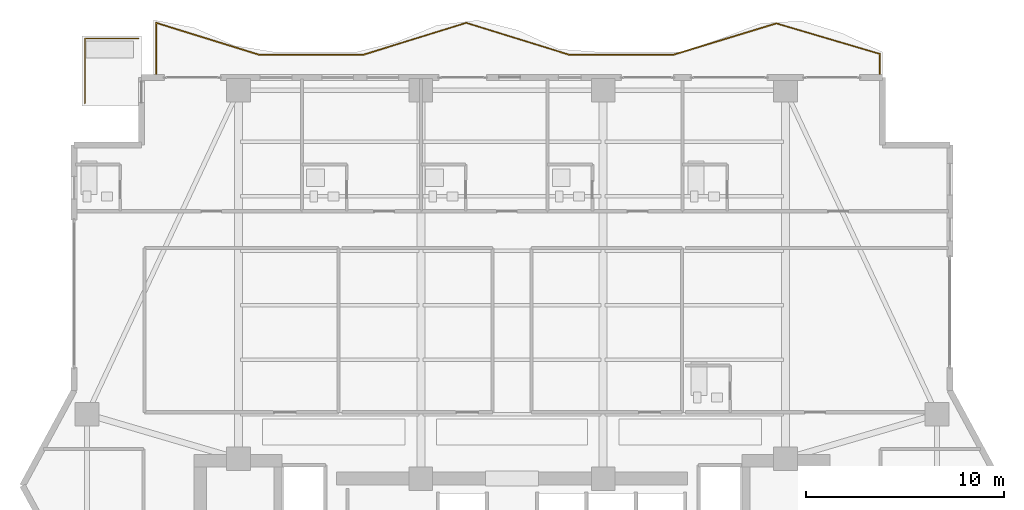
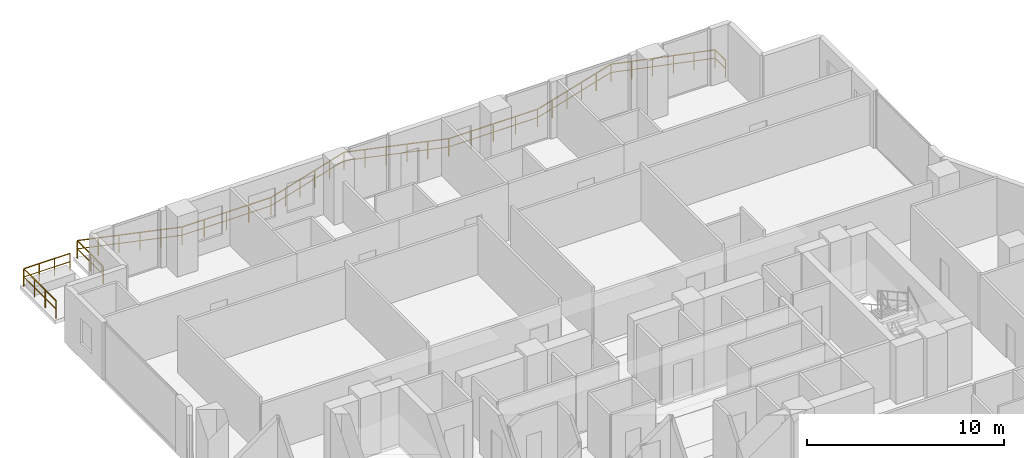
# One storey, part 31 of 32: 2 railings.
"""IFC4 building model written with IfcOpenShell, lengths in metres."""

from ifc_helpers import new_model, si_unit, direction, frame, origin, origin_2d, place, context, subcontext, project, spatial, rectangle, extrude, material, type_object, element, save


model = new_model("IFC4")

# Units and contexts
model_context = context("Model", 3, precision=1e-05, world=origin(), true_north=direction((0.0, 1.0)))
body_context = subcontext(model_context, "Body", "Model", "MODEL_VIEW")
ifc_project = project(units=[si_unit("LENGTHUNIT", "METRE"), si_unit("AREAUNIT", "SQUARE_METRE"), si_unit("VOLUMEUNIT", "CUBIC_METRE"), si_unit("PLANEANGLEUNIT", "RADIAN"), si_unit("MASSUNIT", "GRAM", prefix="KILO")], contexts=[model_context])

# Site, building, storey
site_placement = place(None, origin())
site = spatial("IfcSite", under=ifc_project, at=site_placement, CompositionType="ELEMENT")
building_placement = place(site_placement, origin())
building = spatial("IfcBuilding", under=site, at=building_placement, Name="Zuhayl Quay Hotel", CompositionType="ELEMENT")
storey_placement = place(building_placement, frame((0.0, 0.0, 181.14990234375)))
storey = spatial("IfcBuildingStorey", under=building, at=storey_placement, Name="L45", CompositionType="ELEMENT", Elevation=181.14990234375)

# Railings
ifc_material = material(Name="Anodised Aluminium and Laminated Glass", Category="aluminium")
railing_type = type_object("IfcRailingType", Name="RL_EXT_BAL_1100", PredefinedType="BALUSTRADE", material=ifc_material)
railing_1_placement = place(storey_placement, frame((-17.9599609375, 33.719970703125, 0.0)))
element("IfcRailing", 1, at=railing_1_placement, inside=storey, type_object=railing_type, Name="L45 Balcony and Terrace Guard GR_L45_BAL_N", PredefinedType="BALUSTRADE", context=body_context, shape_type="SweptSolid", body=[
    extrude(rectangle(XDim=0.048095703125, YDim=0.048095703125, at=origin_2d()), frame((0.0, 0.0, 1.09619140625), z_axis=(0.0, 1.0, 0.0), x_axis=(-1.0, 0.0, 0.0)), (0.0, 0.0, 1.0), 2.63818359375),
    extrude(rectangle(XDim=0.0361328125, YDim=0.0361328125, at=origin_2d()), frame((0.0, 0.0, 0.58251953125), z_axis=(0.0, 1.0, 0.0), x_axis=(-1.0, 0.0, 0.0)), (0.0, 0.0, 1.0), 2.63818359375),
    extrude(rectangle(XDim=0.048095703125, YDim=0.048095703125, at=origin_2d()), frame((0.0, 2.63818359375, 1.09619140625), z_axis=(0.955111680816, -0.296245974096, 0.0), x_axis=(0.296245974096, 0.955111680816, 0.0)), (0.0, 0.0, 1.0), 5.462158203125),
    extrude(rectangle(XDim=0.0361328125, YDim=0.0361328125, at=origin_2d()), frame((0.0, 2.63818359375, 0.58251953125), z_axis=(0.955111680816, -0.296245974096, 0.0), x_axis=(0.296245974096, 0.955111680816, 0.0)), (0.0, 0.0, 1.0), 5.462158203125),
    extrude(rectangle(XDim=0.048095703125, YDim=0.048095703125, at=origin_2d()), frame((5.217041015625, 1.02001953125, 1.09619140625), z_axis=(1.0, 0.0, 0.0), x_axis=(0.0, 1.0, 0.0)), (0.0, 0.0, 1.0), 5.21728515625),
    extrude(rectangle(XDim=0.0361328125, YDim=0.0361328125, at=origin_2d()), frame((5.217041015625, 1.02001953125, 0.58251953125), z_axis=(1.0, 0.0, 0.0), x_axis=(0.0, 1.0, 0.0)), (0.0, 0.0, 1.0), 5.21728515625),
    extrude(rectangle(XDim=0.048095703125, YDim=0.048095703125, at=origin_2d()), frame((10.434326171875, 1.02001953125, 1.09619140625), z_axis=(0.955238077311, 0.295838157876, 0.0), x_axis=(-0.295838157876, 0.955238077311, 0.0)), (0.0, 0.0, 1.0), 5.46142578125),
    extrude(rectangle(XDim=0.0361328125, YDim=0.0361328125, at=origin_2d()), frame((10.434326171875, 1.02001953125, 0.58251953125), z_axis=(0.955238077311, 0.295838157876, 0.0), x_axis=(-0.295838157876, 0.955238077311, 0.0)), (0.0, 0.0, 1.0), 5.46142578125),
    extrude(rectangle(XDim=0.048095703125, YDim=0.048095703125, at=origin_2d()), frame((15.6513671875, 2.6357421875, 1.09619140625), z_axis=(0.955241989393, -0.295825525775, 0.0), x_axis=(0.295825525775, 0.955241989393, 0.0)), (0.0, 0.0, 1.0), 5.461669921875),
    extrude(rectangle(XDim=0.0361328125, YDim=0.0361328125, at=origin_2d()), frame((15.6513671875, 2.6357421875, 0.58251953125), z_axis=(0.955241989393, -0.295825525775, 0.0), x_axis=(0.295825525775, 0.955241989393, 0.0)), (0.0, 0.0, 1.0), 5.461669921875),
    extrude(rectangle(XDim=0.048095703125, YDim=0.048095703125, at=origin_2d()), frame((20.86865234375, 1.02001953125, 1.09619140625), z_axis=(1.0, 0.0, 0.0), x_axis=(0.0, 1.0, 0.0)), (0.0, 0.0, 1.0), 5.217041015625),
    extrude(rectangle(XDim=0.0361328125, YDim=0.0361328125, at=origin_2d()), frame((20.86865234375, 1.02001953125, 0.58251953125), z_axis=(1.0, 0.0, 0.0), x_axis=(0.0, 1.0, 0.0)), (0.0, 0.0, 1.0), 5.217041015625),
    extrude(rectangle(XDim=0.048095703125, YDim=0.048095703125, at=origin_2d()), frame((26.085693359375, 1.02001953125, 1.09619140625), z_axis=(0.956560509434, 0.291533860456, 0.0), x_axis=(-0.291533860456, 0.956560509434, 0.0)), (0.0, 0.0, 1.0), 5.4541015625),
    extrude(rectangle(XDim=0.0361328125, YDim=0.0361328125, at=origin_2d()), frame((26.085693359375, 1.02001953125, 0.58251953125), z_axis=(0.956560509434, 0.291533860456, 0.0), x_axis=(-0.291533860456, 0.956560509434, 0.0)), (0.0, 0.0, 1.0), 5.4541015625),
    extrude(rectangle(XDim=0.048095703125, YDim=0.048095703125, at=origin_2d()), frame((31.302978515625, 2.610107421875, 1.09619140625), z_axis=(0.959061213156, -0.283198851374, 0.0), x_axis=(0.283198851374, 0.959061213156, 0.0)), (0.0, 0.0, 1.0), 5.439697265625),
    extrude(rectangle(XDim=0.0361328125, YDim=0.0361328125, at=origin_2d()), frame((31.302978515625, 2.610107421875, 0.58251953125), z_axis=(0.959061213156, -0.283198851374, 0.0), x_axis=(0.283198851374, 0.959061213156, 0.0)), (0.0, 0.0, 1.0), 5.439697265625),
    extrude(rectangle(XDim=0.048095703125, YDim=0.048095703125, at=origin_2d()), frame((36.52001953125, 1.069580078125, 1.09619140625), z_axis=(0.0, -1.0, 0.0), x_axis=(1.0, 0.0, 0.0)), (0.0, 0.0, 1.0), 1.069580078125),
    extrude(rectangle(XDim=0.0361328125, YDim=0.0361328125, at=origin_2d()), frame((36.52001953125, 1.069580078125, 0.58251953125), z_axis=(0.0, -1.0, 0.0), x_axis=(1.0, 0.0, 0.0)), (0.0, 0.0, 1.0), 1.069580078125),
    extrude(rectangle(XDim=0.0419921875, YDim=0.0419921875, at=origin_2d()), origin(), (0.0, 0.0, 1.0), 1.072021484375),
    extrude(rectangle(XDim=0.0419921875, YDim=0.0419921875, at=origin_2d()), frame((0.0, 1.319091796875, 0.0)), (0.0, 0.0, 1.0), 1.072021484375),
    extrude(rectangle(XDim=0.0419921875, YDim=0.0419921875, at=origin_2d()), frame((0.0, 2.63818359375, 0.0)), (0.0, 0.0, 1.0), 1.072021484375),
    extrude(rectangle(XDim=0.0419921875, YDim=0.0419921875, at=origin_2d()), frame((1.04345703125, 2.314453125, 0.0)), (0.0, 0.0, 1.0), 1.072021484375),
    extrude(rectangle(XDim=0.0419921875, YDim=0.0419921875, at=origin_2d()), frame((2.0869140625, 1.990966796875, 0.0)), (0.0, 0.0, 1.0), 1.072021484375),
    extrude(rectangle(XDim=0.0419921875, YDim=0.0419921875, at=origin_2d()), frame((3.130126953125, 1.667236328125, 0.0)), (0.0, 0.0, 1.0), 1.072021484375),
    extrude(rectangle(XDim=0.0419921875, YDim=0.0419921875, at=origin_2d()), frame((4.173583984375, 1.34375, 0.0)), (0.0, 0.0, 1.0), 1.072021484375),
    extrude(rectangle(XDim=0.0419921875, YDim=0.0419921875, at=origin_2d()), frame((5.217041015625, 1.02001953125, 0.0)), (0.0, 0.0, 1.0), 1.072021484375),
    extrude(rectangle(XDim=0.0419921875, YDim=0.0419921875, at=origin_2d()), frame((6.521484375, 1.02001953125, 0.0)), (0.0, 0.0, 1.0), 1.072021484375),
    extrude(rectangle(XDim=0.0419921875, YDim=0.0419921875, at=origin_2d()), frame((7.82568359375, 1.02001953125, 0.0)), (0.0, 0.0, 1.0), 1.072021484375),
    extrude(rectangle(XDim=0.0419921875, YDim=0.0419921875, at=origin_2d()), frame((9.1298828125, 1.02001953125, 0.0)), (0.0, 0.0, 1.0), 1.072021484375),
    extrude(rectangle(XDim=0.0419921875, YDim=0.0419921875, at=origin_2d()), frame((10.434326171875, 1.02001953125, 0.0)), (0.0, 0.0, 1.0), 1.072021484375),
    extrude(rectangle(XDim=0.0419921875, YDim=0.0419921875, at=origin_2d()), frame((11.477783203125, 1.34326171875, 0.0)), (0.0, 0.0, 1.0), 1.072021484375),
    extrude(rectangle(XDim=0.0419921875, YDim=0.0419921875, at=origin_2d()), frame((12.521240234375, 1.666259765625, 0.0)), (0.0, 0.0, 1.0), 1.072021484375),
    extrude(rectangle(XDim=0.0419921875, YDim=0.0419921875, at=origin_2d()), frame((13.564453125, 1.989501953125, 0.0)), (0.0, 0.0, 1.0), 1.072021484375),
    extrude(rectangle(XDim=0.0419921875, YDim=0.0419921875, at=origin_2d()), frame((14.60791015625, 2.3125, 0.0)), (0.0, 0.0, 1.0), 1.072021484375),
    extrude(rectangle(XDim=0.0419921875, YDim=0.0419921875, at=origin_2d()), frame((15.6513671875, 2.6357421875, 0.0)), (0.0, 0.0, 1.0), 1.072021484375),
    extrude(rectangle(XDim=0.0419921875, YDim=0.0419921875, at=origin_2d()), frame((16.69482421875, 2.3125, 0.0)), (0.0, 0.0, 1.0), 1.072021484375),
    extrude(rectangle(XDim=0.0419921875, YDim=0.0419921875, at=origin_2d()), frame((17.73828125, 1.989501953125, 0.0)), (0.0, 0.0, 1.0), 1.072021484375),
    extrude(rectangle(XDim=0.0419921875, YDim=0.0419921875, at=origin_2d()), frame((18.78173828125, 1.666259765625, 0.0)), (0.0, 0.0, 1.0), 1.072021484375),
    extrude(rectangle(XDim=0.0419921875, YDim=0.0419921875, at=origin_2d()), frame((19.8251953125, 1.34326171875, 0.0)), (0.0, 0.0, 1.0), 1.072021484375),
    extrude(rectangle(XDim=0.0419921875, YDim=0.0419921875, at=origin_2d()), frame((20.86865234375, 1.02001953125, 0.0)), (0.0, 0.0, 1.0), 1.072021484375),
    extrude(rectangle(XDim=0.0419921875, YDim=0.0419921875, at=origin_2d()), frame((22.1728515625, 1.02001953125, 0.0)), (0.0, 0.0, 1.0), 1.072021484375),
    extrude(rectangle(XDim=0.0419921875, YDim=0.0419921875, at=origin_2d()), frame((23.47705078125, 1.02001953125, 0.0)), (0.0, 0.0, 1.0), 1.072021484375),
    extrude(rectangle(XDim=0.0419921875, YDim=0.0419921875, at=origin_2d()), frame((24.781494140625, 1.02001953125, 0.0)), (0.0, 0.0, 1.0), 1.072021484375),
    extrude(rectangle(XDim=0.0419921875, YDim=0.0419921875, at=origin_2d()), frame((26.085693359375, 1.02001953125, 0.0)), (0.0, 0.0, 1.0), 1.072021484375),
    extrude(rectangle(XDim=0.0419921875, YDim=0.0419921875, at=origin_2d()), frame((27.129150390625, 1.338134765625, 0.0)), (0.0, 0.0, 1.0), 1.072021484375),
    extrude(rectangle(XDim=0.0419921875, YDim=0.0419921875, at=origin_2d()), frame((28.172607421875, 1.656005859375, 0.0)), (0.0, 0.0, 1.0), 1.072021484375),
    extrude(rectangle(XDim=0.0419921875, YDim=0.0419921875, at=origin_2d()), frame((29.216064453125, 1.97412109375, 0.0)), (0.0, 0.0, 1.0), 1.072021484375),
    extrude(rectangle(XDim=0.0419921875, YDim=0.0419921875, at=origin_2d()), frame((30.259521484375, 2.2919921875, 0.0)), (0.0, 0.0, 1.0), 1.072021484375),
    extrude(rectangle(XDim=0.0419921875, YDim=0.0419921875, at=origin_2d()), frame((31.302978515625, 2.610107421875, 0.0)), (0.0, 0.0, 1.0), 1.072021484375),
    extrude(rectangle(XDim=0.0419921875, YDim=0.0419921875, at=origin_2d()), frame((32.346435546875, 2.302001953125, 0.0)), (0.0, 0.0, 1.0), 1.072021484375),
    extrude(rectangle(XDim=0.0419921875, YDim=0.0419921875, at=origin_2d()), frame((33.389892578125, 1.993896484375, 0.0)), (0.0, 0.0, 1.0), 1.072021484375),
    extrude(rectangle(XDim=0.0419921875, YDim=0.0419921875, at=origin_2d()), frame((34.43310546875, 1.685791015625, 0.0)), (0.0, 0.0, 1.0), 1.072021484375),
    extrude(rectangle(XDim=0.0419921875, YDim=0.0419921875, at=origin_2d()), frame((35.4765625, 1.377685546875, 0.0)), (0.0, 0.0, 1.0), 1.072021484375),
    extrude(rectangle(XDim=0.0419921875, YDim=0.0419921875, at=origin_2d()), frame((36.52001953125, 1.069580078125, 0.0)), (0.0, 0.0, 1.0), 1.072021484375),
    extrude(rectangle(XDim=0.0419921875, YDim=0.0419921875, at=origin_2d()), frame((36.52001953125, 0.0, 0.0)), (0.0, 0.0, 1.0), 1.072021484375),
])
railing_2_placement = place(storey_placement, frame((-18.840087890625, 35.56005859375, 0.0)))
element("IfcRailing", 2, at=railing_2_placement, inside=storey, type_object=railing_type, Name="L45 Balcony and Terrace Guard GR_L45_SPIRAL_NW", PredefinedType="BALUSTRADE", context=body_context, shape_type="SweptSolid", body=[
    extrude(rectangle(XDim=0.048095703125, YDim=0.048095703125, at=origin_2d()), frame((0.0, 0.0, 1.09619140625), z_axis=(-1.0, 0.0, 0.0), x_axis=(0.0, -1.0, 0.0)), (0.0, 0.0, 1.0), 2.719970703125),
    extrude(rectangle(XDim=0.0361328125, YDim=0.0361328125, at=origin_2d()), frame((0.0, 0.0, 0.58251953125), z_axis=(-1.0, 0.0, 0.0), x_axis=(0.0, -1.0, 0.0)), (0.0, 0.0, 1.0), 2.719970703125),
    extrude(rectangle(XDim=0.048095703125, YDim=0.048095703125, at=origin_2d()), frame((-2.719970703125, 0.0, 1.09619140625), z_axis=(0.0, -1.0, 0.0), x_axis=(1.0, 0.0, 0.0)), (0.0, 0.0, 1.0), 3.27001953125),
    extrude(rectangle(XDim=0.0361328125, YDim=0.0361328125, at=origin_2d()), frame((-2.719970703125, 0.0, 0.58251953125), z_axis=(0.0, -1.0, 0.0), x_axis=(1.0, 0.0, 0.0)), (0.0, 0.0, 1.0), 3.27001953125),
    extrude(rectangle(XDim=0.0419921875, YDim=0.0419921875, at=origin_2d()), origin(), (0.0, 0.0, 1.0), 1.072021484375),
    extrude(rectangle(XDim=0.0419921875, YDim=0.0419921875, at=origin_2d()), frame((-0.90673828125, 0.0, 0.0)), (0.0, 0.0, 1.0), 1.072021484375),
    extrude(rectangle(XDim=0.0419921875, YDim=0.0419921875, at=origin_2d()), frame((-1.813232421875, 0.0, 0.0)), (0.0, 0.0, 1.0), 1.072021484375),
    extrude(rectangle(XDim=0.0419921875, YDim=0.0419921875, at=origin_2d()), frame((-2.719970703125, 0.0, 0.0)), (0.0, 0.0, 1.0), 1.072021484375),
    extrude(rectangle(XDim=0.0419921875, YDim=0.0419921875, at=origin_2d()), frame((-2.719970703125, -1.090087890625, 0.0)), (0.0, 0.0, 1.0), 1.072021484375),
    extrude(rectangle(XDim=0.0419921875, YDim=0.0419921875, at=origin_2d()), frame((-2.719970703125, -2.179931640625, 0.0)), (0.0, 0.0, 1.0), 1.072021484375),
    extrude(rectangle(XDim=0.0419921875, YDim=0.0419921875, at=origin_2d()), frame((-2.719970703125, -3.27001953125, 0.0)), (0.0, 0.0, 1.0), 1.072021484375),
])

save(model, "model.ifc")
